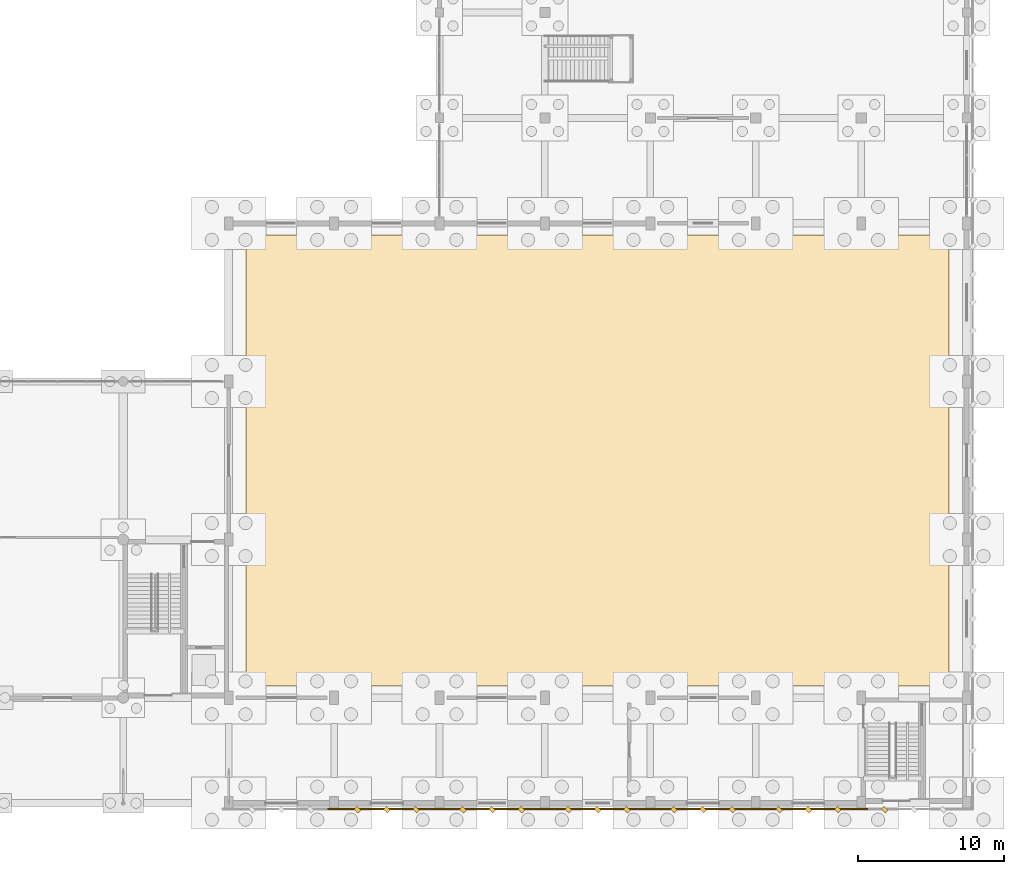
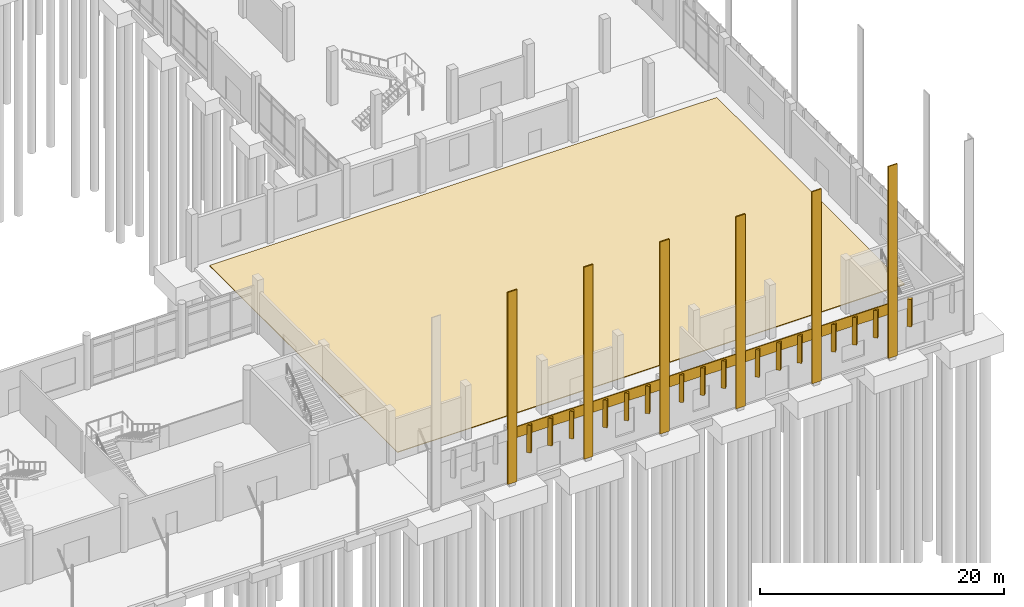
# One storey, part 105 of 109: 28 coverings.
"""IFC4 building model written with IfcOpenShell, lengths in metres."""

import ifcopenshell
import ifcopenshell.guid

model = None  # the IFC model being written
_history = None  # IfcOwnerHistory: only IFC2X3 demands one
_inside = {}  # id of a spatial element -> (the spatial element, [elements in it])
_under = {}  # id of a project, library or spatial element -> (it, [spatial elements below it])
_declared = {}  # id of a project -> (the project, [libraries it declares])
_typed = {}  # id of a type object -> (the type object, [elements of that type])
_made_of = {}  # id of a material, layer set ... -> (it, [elements and type objects made of it])


def new_model(schema):
    """Start an empty IFC model of exactly this schema.

    Asked for "IFC4X3", IfcOpenShell would pick the latest addendum, in which some entities
    have other attributes; the version numbers below select the first issue.
    IFC2X3 requires an IfcOwnerHistory on every rooted entity: one is made here for all.
    """
    global model, _history
    if schema == "IFC4X3":
        model = ifcopenshell.file(schema_version=(4, 3, 0, 0))
    else:
        model = ifcopenshell.file(schema=schema)
    _inside.clear()
    _under.clear()
    _declared.clear()
    _typed.clear()
    _made_of.clear()
    _history = None
    if model.schema == "IFC2X3":
        org = make("IfcOrganization", Name="unknown")
        user = make(
            "IfcPersonAndOrganization",
            ThePerson=make("IfcPerson", FamilyName="unknown"),
            TheOrganization=org,
        )
        app = make(
            "IfcApplication",
            ApplicationDeveloper=org,
            Version="unknown",
            ApplicationFullName="unknown",
            ApplicationIdentifier="unknown",
        )
        _history = make(
            "IfcOwnerHistory",
            OwningUser=user,
            OwningApplication=app,
            ChangeAction="ADDED",
            CreationDate=0,
        )
    return model


def make(cls, **values):
    """One entity of the class cls with the attributes given. An attribute that is None is left unset."""
    return model.create_entity(
        cls, **{name: value for name, value in values.items() if value is not None}
    )


def rooted(cls, **values):
    """An entity with a GlobalId (a new one), such as an element, a storey or a relation."""
    return make(cls, GlobalId=ifcopenshell.guid.new(), OwnerHistory=_history, **values)


def si_unit(unit_type, name, prefix=None):
    """IfcSIUnit, for example si_unit("LENGTHUNIT", "METRE", prefix="MILLI")."""
    return make("IfcSIUnit", UnitType=unit_type, Prefix=prefix, Name=name)


def assignment(units):
    """IfcUnitAssignment: the units of a project."""
    return None if units is None else make("IfcUnitAssignment", Units=units)


def point(xyz):
    """IfcCartesianPoint."""
    return None if xyz is None else make("IfcCartesianPoint", Coordinates=xyz)


def direction(xyz):
    """IfcDirection."""
    return None if xyz is None else make("IfcDirection", DirectionRatios=xyz)


def frame(location, z_axis=None, x_axis=None):
    """IfcAxis2Placement3D, a coordinate frame: its origin and axes. An axis left out is left unset."""
    return make(
        "IfcAxis2Placement3D",
        Location=point(location),
        Axis=direction(z_axis),
        RefDirection=direction(x_axis),
    )


def frame_2d(location, x_axis=None):
    """IfcAxis2Placement2D, a coordinate frame in the plane: its origin and x axis."""
    return make(
        "IfcAxis2Placement2D", Location=point(location), RefDirection=direction(x_axis)
    )


def origin():
    """The frame at (0, 0, 0) with its axes left unset."""
    return frame((0.0, 0.0, 0.0))


def origin_2d():
    """The frame at (0, 0) in the plane with its x axis left unset."""
    return frame_2d((0.0, 0.0))


def place(relative_to, where):
    """IfcLocalPlacement: puts the frame where relative to a parent placement (None: the world)."""
    return make(
        "IfcLocalPlacement", PlacementRelTo=relative_to, RelativePlacement=where
    )


def context(
    kind, dimensions, precision=None, world=None, true_north=None, identifier=None
):
    """IfcGeometricRepresentationContext, for example the 3D "Model" context."""
    return make(
        "IfcGeometricRepresentationContext",
        ContextIdentifier=identifier,
        ContextType=kind,
        CoordinateSpaceDimension=dimensions,
        Precision=precision,
        WorldCoordinateSystem=world,
        TrueNorth=true_north,
    )


def subcontext(parent, identifier, kind, view, scale=None):
    """IfcGeometricRepresentationSubContext, for example "Body" below "Model"."""
    return make(
        "IfcGeometricRepresentationSubContext",
        ContextIdentifier=identifier,
        ContextType=kind,
        ParentContext=parent,
        TargetScale=scale,
        TargetView=view,
    )


def project(units=None, contexts=None):
    """IfcProject with its units and contexts."""
    return rooted(
        "IfcProject",
        Name="project",
        RepresentationContexts=contexts,
        UnitsInContext=assignment(units),
    )


def spatial(cls, under=None, at=None, **own):
    """A site, building, storey or space (cls), placed at a placement, below another one or the project."""
    s = rooted(cls, ObjectPlacement=at, **own)
    if under is not None:
        _under.setdefault(under.id(), (under, []))[1].append(s)
    return s


def polyline(points):
    """IfcPolyline through the points."""
    return make("IfcPolyline", Points=[point(p) for p in points])


def profile(cls, at=None, kind="AREA", **sizes):
    """A parametric profile (cls). Its sizes go by their IFC names, for example OverallWidth=200.0."""
    return make(cls, ProfileType=kind, Position=at, **sizes)


def rectangle(**sizes):
    """IfcRectangleProfileDef."""
    return profile("IfcRectangleProfileDef", **sizes)


def outline(outer, holes=None, kind="AREA"):
    """IfcArbitraryClosedProfileDef: a profile drawn as a closed curve; with holes, ...WithVoids."""
    if holes is None:
        return make("IfcArbitraryClosedProfileDef", ProfileType=kind, OuterCurve=outer)
    return make(
        "IfcArbitraryProfileDefWithVoids",
        ProfileType=kind,
        OuterCurve=outer,
        InnerCurves=holes,
    )


def extrude(swept, where, along, depth):
    """IfcExtrudedAreaSolid: the profile swept, set in the frame where, extruded along a direction by depth."""
    return make(
        "IfcExtrudedAreaSolid",
        SweptArea=swept,
        Position=where,
        ExtrudedDirection=direction(along),
        Depth=depth,
    )


def shape(context_of_items, identifier, shape_type, items):
    """IfcShapeRepresentation: the items that make up one representation, for example the "Body"."""
    return make(
        "IfcShapeRepresentation",
        ContextOfItems=context_of_items,
        RepresentationIdentifier=identifier,
        RepresentationType=shape_type,
        Items=items,
    )


def material(Name=None, Category=None):
    """IfcMaterial."""
    return make("IfcMaterial", Name=Name, Category=Category)


def layer(
    of_material, thickness, ventilated=None, Name=None, Category=None, Priority=None
):
    """IfcMaterialLayer: one layer of a wall or slab, of a material (None: an air gap)."""
    return make(
        "IfcMaterialLayer",
        Material=of_material,
        LayerThickness=thickness,
        IsVentilated=ventilated,
        Name=Name,
        Category=Category,
        Priority=Priority,
    )


def layer_set(layers, Name=None):
    """IfcMaterialLayerSet."""
    return make("IfcMaterialLayerSet", MaterialLayers=layers, LayerSetName=Name)


def made_of(thing, what):
    """Note that an element or type object is made of a material, layer set ...; save() writes the relation."""
    if what is not None:
        _made_of.setdefault(what.id(), (what, []))[1].append(thing)
    return thing


def type_object(cls, material=None, **own):
    """A type object (cls), such as IfcWallType, which elements share."""
    return made_of(rooted(cls, **own), material)


def element(
    cls,
    number,
    at=None,
    inside=None,
    cuts=None,
    type_object=None,
    material=None,
    context=None,
    identifier="Body",
    shape_type=None,
    held_by="IfcProductDefinitionShape",
    body=None,
    shapes=None,
    **own,
):
    """One element of the class cls, such as IfcWall. Its Tag is "e" and its number.

    at: its placement. inside: the storey or other place that contains it. cuts: it is an
    opening in that element (IfcRelVoidsElement). A single representation is given by context,
    identifier, shape_type and body (its items); several are given by shapes. held_by: the class
    of the entity that holds the representations. save() writes the other relations.
    """
    e = rooted(cls, Tag="e%d" % number, ObjectPlacement=at, **own)
    if body is not None:
        shapes = [shape(context, identifier, shape_type, body)]
    if shapes is not None:
        e.Representation = make(held_by, Representations=shapes)
    if inside is not None:
        _inside.setdefault(inside.id(), (inside, []))[1].append(e)
    if cuts is not None:
        rooted(
            "IfcRelVoidsElement", RelatingBuildingElement=cuts, RelatedOpeningElement=e
        )
    if type_object is not None:
        _typed.setdefault(type_object.id(), (type_object, []))[1].append(e)
    return made_of(e, material)


def aggregate(whole, parts):
    """IfcRelAggregates: a whole, such as a stair, and the parts it consists of."""
    return rooted("IfcRelAggregates", RelatingObject=whole, RelatedObjects=parts)


def save(model, path):
    """Write the relations noted so far, then the file.

    IfcRelAggregates (storeys below a building ...), IfcRelContainedInSpatialStructure (elements
    in a storey), IfcRelDefinesByType, IfcRelAssociatesMaterial and IfcRelDeclares: one each for
    every whole, place, type object, material and project.
    """
    for whole, parts in _under.values():
        aggregate(whole, parts)
    for where, things in _inside.values():
        rooted(
            "IfcRelContainedInSpatialStructure",
            RelatedElements=things,
            RelatingStructure=where,
        )
    for kind, things in _typed.values():
        rooted("IfcRelDefinesByType", RelatedObjects=things, RelatingType=kind)
    for what, things in _made_of.values():
        rooted("IfcRelAssociatesMaterial", RelatedObjects=things, RelatingMaterial=what)
    for by, libraries in _declared.values():
        rooted("IfcRelDeclares", RelatingContext=by, RelatedDefinitions=libraries)
    model.write(path)


model = new_model("IFC4")

# Units and contexts
model_context = context("Model", 3, precision=1e-05, world=origin(), true_north=direction((0.0, 1.0)))
body_context = subcontext(model_context, "Body", "Model", "MODEL_VIEW")
ifc_project = project(units=[si_unit("LENGTHUNIT", "METRE"), si_unit("AREAUNIT", "SQUARE_METRE"), si_unit("VOLUMEUNIT", "CUBIC_METRE"), si_unit("PLANEANGLEUNIT", "RADIAN"), si_unit("MASSUNIT", "GRAM", prefix="KILO")], contexts=[model_context])

# Site, building, storey
site_placement = place(None, origin())
site = spatial("IfcSite", under=ifc_project, at=site_placement, CompositionType="ELEMENT")
building_placement = place(site_placement, origin())
building = spatial("IfcBuilding", under=site, at=building_placement, Name="Lusvemor Sports Hall", CompositionType="ELEMENT")
storey_placement = place(building_placement, origin())
storey = spatial("IfcBuildingStorey", under=building, at=storey_placement, Name="L00", CompositionType="ELEMENT", Elevation=0.0)

# Coverings
ifc_material_1 = material(Name="Precast granite-faced Concrete C40/50 architectural cladding", Category="masonry")
ifc_layer_1 = layer(ifc_material_1, 0.055908203125)
ifc_layer_set_1 = layer_set([ifc_layer_1], Name="Precast granite-faced Concrete C40/50 architectural cladding")
covering_type_1 = type_object("IfcCoveringType", Name="CLAD_RELIEF_FRIEZE", PredefinedType="CLADDING", material=ifc_layer_set_1)
for number, where, z_axis, x_axis, name in (
    (1, (126.0, -0.409912109375, 0.0), (0.0, 0.0, 1.0), (1.0, 0.0, 0.0), "Art Nouveau Pilaster Cladding Casing 137"),
    (2, (133.199951171875, -0.409912109375, 0.0), (0.0, 0.0, 1.0), (1.0, 0.0, 0.0), "Art Nouveau Pilaster Cladding Casing 138"),
    (3, (140.39990234375, -0.409912109375, 0.0), (0.0, 0.0, 1.0), (1.0, 0.0, 0.0), "Art Nouveau Pilaster Cladding Casing 139"),
    (4, (147.60009765625, -0.409912109375, 0.0), (0.0, 0.0, 1.0), (1.0, 0.0, 0.0), "Art Nouveau Pilaster Cladding Casing 140"),
    (5, (154.800048828125, -0.409912109375, 0.0), (0.0, 0.0, 1.0), (1.0, 0.0, 0.0), "Art Nouveau Pilaster Cladding Casing 141"),
    (6, (162.0, -0.409912109375, 0.0), (0.0, 0.0, 1.0), (1.0, 0.0, 0.0), "Art Nouveau Pilaster Cladding Casing 142"),
):
    element("IfcCovering", number, at=place(storey_placement, frame(where, z_axis=z_axis, x_axis=x_axis)), inside=storey, type_object=covering_type_1, Name=name, PredefinedType="CLADDING", context=body_context, shape_type="SweptSolid", body=[
        extrude(rectangle(XDim=0.8798828125, YDim=0.10009765625, at=origin_2d()), origin(), (0.0, 0.0, 1.0), 19.199951171875),
    ])
ifc_material_2 = material(Name="Emerald polychrome glazed ceramic cladding on Concrete C40/50 backing", Category="concrete")
ifc_layer_2 = layer(ifc_material_2, 0.0458984375)
ifc_layer_set_2 = layer_set([ifc_layer_2], Name="Emerald polychrome glazed ceramic cladding on Concrete C40/50 backing")
covering_type_2 = type_object("IfcCoveringType", Name="CLAD_WAVE_EMERALD", PredefinedType="CLADDING", material=ifc_layer_set_2)
for number, where, z_axis, x_axis, name in (
    (7, (129.60009765625, -0.43994140625, 2.550048828125), (0.0, 0.0, 1.0), (0.707106781187, 0.707106781187, 0.0), "Patterned Diamond Cladding Rib 162"),
    (8, (136.800048828125, -0.43994140625, 2.550048828125), (0.0, 0.0, 1.0), (0.707106781187, 0.707106781187, 0.0), "Patterned Diamond Cladding Rib 178"),
    (9, (144.0, -0.43994140625, 2.550048828125), (0.0, 0.0, 1.0), (0.707106781187, 0.707106781187, 0.0), "Patterned Diamond Cladding Rib 194"),
    (10, (151.199951171875, -0.43994140625, 2.550048828125), (0.0, 0.0, 1.0), (0.707106781187, 0.707106781187, 0.0), "Patterned Diamond Cladding Rib 210"),
    (11, (158.39990234375, -0.43994140625, 2.550048828125), (0.0, 0.0, 1.0), (0.707106781187, 0.707106781187, 0.0), "Patterned Diamond Cladding Rib 226"),
):
    element("IfcCovering", number, at=place(storey_placement, frame(where, z_axis=z_axis, x_axis=x_axis)), inside=storey, type_object=covering_type_2, Name=name, PredefinedType="CLADDING", context=body_context, shape_type="SweptSolid", body=[
        extrude(rectangle(XDim=0.280029296875, YDim=0.3798828125, at=origin_2d()), origin(), (0.0, 0.0, 1.0), 2.75),
    ])
ifc_material_3 = material(Name="Warm terracotta Art Nouveau ceramic cladding on Concrete C40/50 backing", Category="masonry")
ifc_layer_3 = layer(ifc_material_3, 0.0380859375)
ifc_layer_set_3 = layer_set([ifc_layer_3], Name="Warm terracotta Art Nouveau ceramic cladding on Concrete C40/50 backing")
covering_type_3 = type_object("IfcCoveringType", Name="CLAD_WAVE_OCHRE", PredefinedType="CLADDING", material=ifc_layer_set_3)
for number, where, z_axis, x_axis, name in (
    (12, (129.60009765625, -0.389892578125, 4.3798828125), (0.0, 0.0, 1.0), (1.0, 0.0, 0.0), "Art Nouveau Spandrel Cornice 160"),
    (13, (136.800048828125, -0.389892578125, 4.3798828125), (0.0, 0.0, 1.0), (1.0, 0.0, 0.0), "Art Nouveau Spandrel Cornice 176"),
    (14, (144.0, -0.389892578125, 4.3798828125), (0.0, 0.0, 1.0), (1.0, 0.0, 0.0), "Art Nouveau Spandrel Cornice 192"),
    (15, (151.199951171875, -0.389892578125, 4.3798828125), (0.0, 0.0, 1.0), (1.0, 0.0, 0.0), "Art Nouveau Spandrel Cornice 208"),
    (16, (158.39990234375, -0.389892578125, 4.3798828125), (0.0, 0.0, 1.0), (1.0, 0.0, 0.0), "Art Nouveau Spandrel Cornice 224"),
):
    element("IfcCovering", number, at=place(storey_placement, frame(where, z_axis=z_axis, x_axis=x_axis)), inside=storey, type_object=covering_type_3, Name=name, PredefinedType="CLADDING", context=body_context, shape_type="SweptSolid", body=[
        extrude(rectangle(XDim=6.3798828125, YDim=0.090087890625, at=origin_2d()), origin(), (0.0, 0.0, 1.0), 1.080078125),
    ])
ifc_material_4 = material(Name="FIBA-grade sprung maple sports flooring")
ifc_layer_4 = layer(ifc_material_4, 0.06591796875)
ifc_layer_set_4 = layer_set([ifc_layer_4], Name="FIBA-grade sprung maple sports flooring")
covering_type_4 = type_object("IfcCoveringType", Name="COV_SPRUNG_MAPLE", PredefinedType="FLOORING", material=ifc_layer_set_4)
covering_placement = place(storey_placement, origin())
element("IfcCovering", 17, at=covering_placement, inside=storey, type_object=covering_type_4, Name="Sprung Maple Flooring COV-MAPLE-COURT2", PredefinedType="FLOORING", context=body_context, shape_type="SweptSolid", body=[
    extrude(outline(polyline([(120.0, 8.0), (168.0, 8.0), (168.0, 38.800048828125), (120.0, 38.800048828125), (120.0, 8.0)])), origin(), (0.0, 0.0, 1.0), 0.06591796875),
])
ifc_material_5 = material(Name="Warm terracotta Art Nouveau ceramic cladding on Concrete C40/50 backing", Category="masonry")
ifc_layer_5 = layer(ifc_material_5, 0.449951171875)
ifc_layer_set_5 = layer_set([ifc_layer_5], Name="Warm terracotta Art Nouveau ceramic cladding on Concrete C40/50 backing")
covering_type_5 = type_object("IfcCoveringType", Name="FIN_BRISE_CER_450", PredefinedType="MOLDING", material=ifc_layer_set_5)
for number, where, z_axis, x_axis, name in (
    (18, (127.60009765625, -0.43994140625, 2.550048828125), (0.0, 0.0, 1.0), (0.707106781187, 0.707106781187, 0.0), "Patterned Diamond Cladding Rib 161"),
    (19, (131.60009765625, -0.43994140625, 2.550048828125), (0.0, 0.0, 1.0), (0.707106781187, 0.707106781187, 0.0), "Patterned Diamond Cladding Rib 163"),
    (20, (134.800048828125, -0.43994140625, 2.550048828125), (0.0, 0.0, 1.0), (0.707106781187, 0.707106781187, 0.0), "Patterned Diamond Cladding Rib 177"),
    (21, (138.800048828125, -0.43994140625, 2.550048828125), (0.0, 0.0, 1.0), (0.707106781187, 0.707106781187, 0.0), "Patterned Diamond Cladding Rib 179"),
    (22, (142.0, -0.43994140625, 2.550048828125), (0.0, 0.0, 1.0), (0.707106781187, 0.707106781187, 0.0), "Patterned Diamond Cladding Rib 193"),
    (23, (146.0, -0.43994140625, 2.550048828125), (0.0, 0.0, 1.0), (0.707106781187, 0.707106781187, 0.0), "Patterned Diamond Cladding Rib 195"),
    (24, (149.199951171875, -0.43994140625, 2.550048828125), (0.0, 0.0, 1.0), (0.707106781187, 0.707106781187, 0.0), "Patterned Diamond Cladding Rib 209"),
    (25, (153.199951171875, -0.43994140625, 2.550048828125), (0.0, 0.0, 1.0), (0.707106781187, 0.707106781187, 0.0), "Patterned Diamond Cladding Rib 211"),
    (26, (156.39990234375, -0.43994140625, 2.550048828125), (0.0, 0.0, 1.0), (0.707106781187, 0.707106781187, 0.0), "Patterned Diamond Cladding Rib 225"),
    (27, (160.39990234375, -0.43994140625, 2.550048828125), (0.0, 0.0, 1.0), (0.707106781187, 0.707106781187, 0.0), "Patterned Diamond Cladding Rib 227"),
    (28, (163.60009765625, -0.43994140625, 2.550048828125), (0.0, 0.0, 1.0), (0.707106781187, 0.707106781187, 0.0), "Patterned Diamond Cladding Rib 241"),
):
    element("IfcCovering", number, at=place(storey_placement, frame(where, z_axis=z_axis, x_axis=x_axis)), inside=storey, type_object=covering_type_5, Name=name, PredefinedType="MOLDING", context=body_context, shape_type="SweptSolid", body=[
        extrude(rectangle(XDim=0.280029296875, YDim=0.3798828125, at=origin_2d()), origin(), (0.0, 0.0, 1.0), 2.75),
    ])

save(model, "model.ifc")
